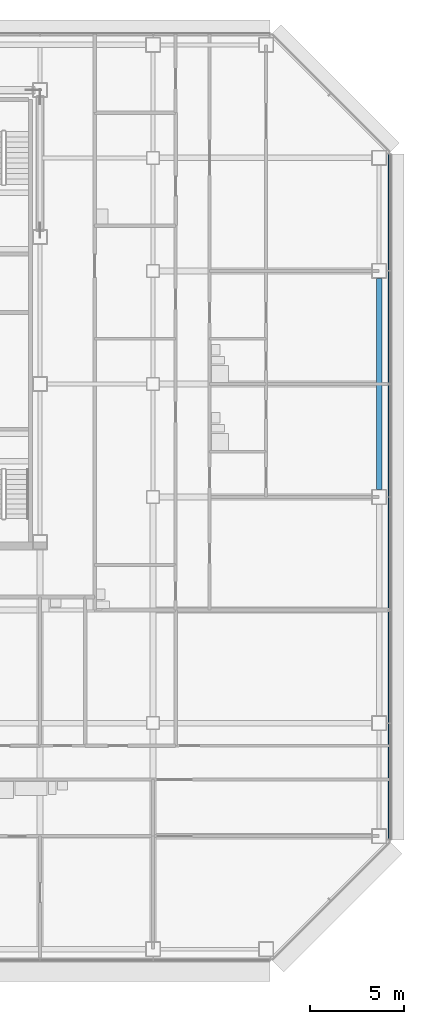
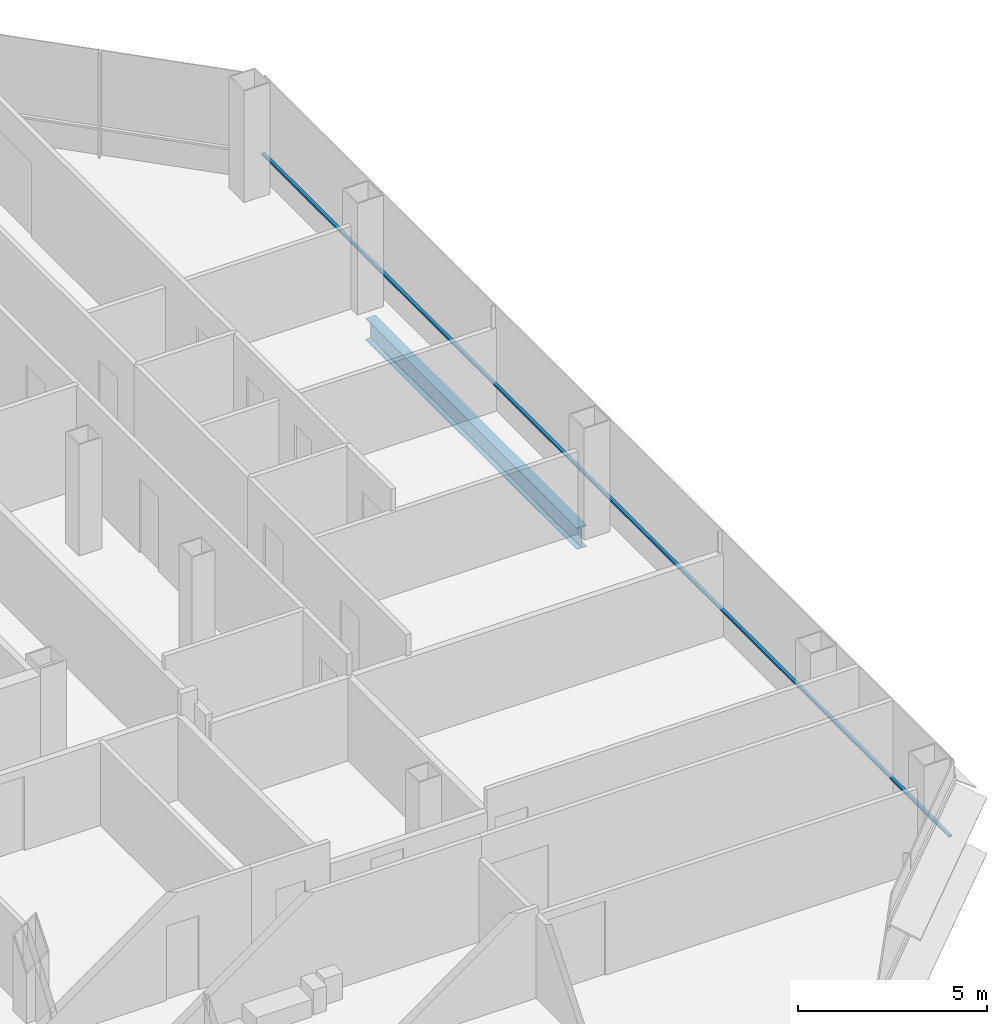
# One storey, part 16 of 26: 1 beam, 1 member, 1 element without a shape of its own.
"""IFC4 building model written with IfcOpenShell, lengths in metres."""

import ifcopenshell
import ifcopenshell.guid

model = None  # the IFC model being written
_history = None  # IfcOwnerHistory: only IFC2X3 demands one
_inside = {}  # id of a spatial element -> (the spatial element, [elements in it])
_under = {}  # id of a project, library or spatial element -> (it, [spatial elements below it])
_declared = {}  # id of a project -> (the project, [libraries it declares])
_typed = {}  # id of a type object -> (the type object, [elements of that type])
_made_of = {}  # id of a material, layer set ... -> (it, [elements and type objects made of it])


def new_model(schema):
    """Start an empty IFC model of exactly this schema.

    Asked for "IFC4X3", IfcOpenShell would pick the latest addendum, in which some entities
    have other attributes; the version numbers below select the first issue.
    IFC2X3 requires an IfcOwnerHistory on every rooted entity: one is made here for all.
    """
    global model, _history
    if schema == "IFC4X3":
        model = ifcopenshell.file(schema_version=(4, 3, 0, 0))
    else:
        model = ifcopenshell.file(schema=schema)
    _inside.clear()
    _under.clear()
    _declared.clear()
    _typed.clear()
    _made_of.clear()
    _history = None
    if model.schema == "IFC2X3":
        org = make("IfcOrganization", Name="unknown")
        user = make(
            "IfcPersonAndOrganization",
            ThePerson=make("IfcPerson", FamilyName="unknown"),
            TheOrganization=org,
        )
        app = make(
            "IfcApplication",
            ApplicationDeveloper=org,
            Version="unknown",
            ApplicationFullName="unknown",
            ApplicationIdentifier="unknown",
        )
        _history = make(
            "IfcOwnerHistory",
            OwningUser=user,
            OwningApplication=app,
            ChangeAction="ADDED",
            CreationDate=0,
        )
    return model


def make(cls, **values):
    """One entity of the class cls with the attributes given. An attribute that is None is left unset."""
    return model.create_entity(
        cls, **{name: value for name, value in values.items() if value is not None}
    )


def rooted(cls, **values):
    """An entity with a GlobalId (a new one), such as an element, a storey or a relation."""
    return make(cls, GlobalId=ifcopenshell.guid.new(), OwnerHistory=_history, **values)


def si_unit(unit_type, name, prefix=None):
    """IfcSIUnit, for example si_unit("LENGTHUNIT", "METRE", prefix="MILLI")."""
    return make("IfcSIUnit", UnitType=unit_type, Prefix=prefix, Name=name)


def assignment(units):
    """IfcUnitAssignment: the units of a project."""
    return None if units is None else make("IfcUnitAssignment", Units=units)


def point(xyz):
    """IfcCartesianPoint."""
    return None if xyz is None else make("IfcCartesianPoint", Coordinates=xyz)


def direction(xyz):
    """IfcDirection."""
    return None if xyz is None else make("IfcDirection", DirectionRatios=xyz)


def frame(location, z_axis=None, x_axis=None):
    """IfcAxis2Placement3D, a coordinate frame: its origin and axes. An axis left out is left unset."""
    return make(
        "IfcAxis2Placement3D",
        Location=point(location),
        Axis=direction(z_axis),
        RefDirection=direction(x_axis),
    )


def frame_2d(location, x_axis=None):
    """IfcAxis2Placement2D, a coordinate frame in the plane: its origin and x axis."""
    return make(
        "IfcAxis2Placement2D", Location=point(location), RefDirection=direction(x_axis)
    )


def origin():
    """The frame at (0, 0, 0) with its axes left unset."""
    return frame((0.0, 0.0, 0.0))


def origin_2d():
    """The frame at (0, 0) in the plane with its x axis left unset."""
    return frame_2d((0.0, 0.0))


def place(relative_to, where):
    """IfcLocalPlacement: puts the frame where relative to a parent placement (None: the world)."""
    return make(
        "IfcLocalPlacement", PlacementRelTo=relative_to, RelativePlacement=where
    )


def context(
    kind, dimensions, precision=None, world=None, true_north=None, identifier=None
):
    """IfcGeometricRepresentationContext, for example the 3D "Model" context."""
    return make(
        "IfcGeometricRepresentationContext",
        ContextIdentifier=identifier,
        ContextType=kind,
        CoordinateSpaceDimension=dimensions,
        Precision=precision,
        WorldCoordinateSystem=world,
        TrueNorth=true_north,
    )


def subcontext(parent, identifier, kind, view, scale=None):
    """IfcGeometricRepresentationSubContext, for example "Body" below "Model"."""
    return make(
        "IfcGeometricRepresentationSubContext",
        ContextIdentifier=identifier,
        ContextType=kind,
        ParentContext=parent,
        TargetScale=scale,
        TargetView=view,
    )


def project(units=None, contexts=None):
    """IfcProject with its units and contexts."""
    return rooted(
        "IfcProject",
        Name="project",
        RepresentationContexts=contexts,
        UnitsInContext=assignment(units),
    )


def spatial(cls, under=None, at=None, **own):
    """A site, building, storey or space (cls), placed at a placement, below another one or the project."""
    s = rooted(cls, ObjectPlacement=at, **own)
    if under is not None:
        _under.setdefault(under.id(), (under, []))[1].append(s)
    return s


def profile(cls, at=None, kind="AREA", **sizes):
    """A parametric profile (cls). Its sizes go by their IFC names, for example OverallWidth=200.0."""
    return make(cls, ProfileType=kind, Position=at, **sizes)


def rectangle(**sizes):
    """IfcRectangleProfileDef."""
    return profile("IfcRectangleProfileDef", **sizes)


def i_section(**sizes):
    """IfcIShapeProfileDef."""
    return profile("IfcIShapeProfileDef", **sizes)


def extrude(swept, where, along, depth):
    """IfcExtrudedAreaSolid: the profile swept, set in the frame where, extruded along a direction by depth."""
    return make(
        "IfcExtrudedAreaSolid",
        SweptArea=swept,
        Position=where,
        ExtrudedDirection=direction(along),
        Depth=depth,
    )


def shape(context_of_items, identifier, shape_type, items):
    """IfcShapeRepresentation: the items that make up one representation, for example the "Body"."""
    return make(
        "IfcShapeRepresentation",
        ContextOfItems=context_of_items,
        RepresentationIdentifier=identifier,
        RepresentationType=shape_type,
        Items=items,
    )


def material(Name=None, Category=None):
    """IfcMaterial."""
    return make("IfcMaterial", Name=Name, Category=Category)


def material_profile(
    of_material, cross_section, Name=None, Category=None, Priority=None
):
    """IfcMaterialProfile: a cross section and its material."""
    return make(
        "IfcMaterialProfile",
        Name=Name,
        Material=of_material,
        Profile=cross_section,
        Priority=Priority,
        Category=Category,
    )


def profile_set(profiles, Name=None, composite=None):
    """IfcMaterialProfileSet."""
    return make(
        "IfcMaterialProfileSet",
        Name=Name,
        MaterialProfiles=profiles,
        CompositeProfile=composite,
    )


def made_of(thing, what):
    """Note that an element or type object is made of a material, layer set ...; save() writes the relation."""
    if what is not None:
        _made_of.setdefault(what.id(), (what, []))[1].append(thing)
    return thing


def type_object(cls, material=None, **own):
    """A type object (cls), such as IfcWallType, which elements share."""
    return made_of(rooted(cls, **own), material)


def element(
    cls,
    number,
    at=None,
    inside=None,
    cuts=None,
    type_object=None,
    material=None,
    context=None,
    identifier="Body",
    shape_type=None,
    held_by="IfcProductDefinitionShape",
    body=None,
    shapes=None,
    **own,
):
    """One element of the class cls, such as IfcWall. Its Tag is "e" and its number.

    at: its placement. inside: the storey or other place that contains it. cuts: it is an
    opening in that element (IfcRelVoidsElement). A single representation is given by context,
    identifier, shape_type and body (its items); several are given by shapes. held_by: the class
    of the entity that holds the representations. save() writes the other relations.
    """
    e = rooted(cls, Tag="e%d" % number, ObjectPlacement=at, **own)
    if body is not None:
        shapes = [shape(context, identifier, shape_type, body)]
    if shapes is not None:
        e.Representation = make(held_by, Representations=shapes)
    if inside is not None:
        _inside.setdefault(inside.id(), (inside, []))[1].append(e)
    if cuts is not None:
        rooted(
            "IfcRelVoidsElement", RelatingBuildingElement=cuts, RelatedOpeningElement=e
        )
    if type_object is not None:
        _typed.setdefault(type_object.id(), (type_object, []))[1].append(e)
    return made_of(e, material)


def aggregate(whole, parts):
    """IfcRelAggregates: a whole, such as a stair, and the parts it consists of."""
    return rooted("IfcRelAggregates", RelatingObject=whole, RelatedObjects=parts)


def save(model, path):
    """Write the relations noted so far, then the file.

    IfcRelAggregates (storeys below a building ...), IfcRelContainedInSpatialStructure (elements
    in a storey), IfcRelDefinesByType, IfcRelAssociatesMaterial and IfcRelDeclares: one each for
    every whole, place, type object, material and project.
    """
    for whole, parts in _under.values():
        aggregate(whole, parts)
    for where, things in _inside.values():
        rooted(
            "IfcRelContainedInSpatialStructure",
            RelatedElements=things,
            RelatingStructure=where,
        )
    for kind, things in _typed.values():
        rooted("IfcRelDefinesByType", RelatedObjects=things, RelatingType=kind)
    for what, things in _made_of.values():
        rooted("IfcRelAssociatesMaterial", RelatedObjects=things, RelatingMaterial=what)
    for by, libraries in _declared.values():
        rooted("IfcRelDeclares", RelatingContext=by, RelatedDefinitions=libraries)
    model.write(path)


model = new_model("IFC4")

# Units and contexts
model_context = context("Model", 3, precision=1e-05, world=origin(), true_north=direction((0.0, 1.0)))
body_context = subcontext(model_context, "Body", "Model", "MODEL_VIEW")
ifc_project = project(units=[si_unit("LENGTHUNIT", "METRE"), si_unit("AREAUNIT", "SQUARE_METRE"), si_unit("VOLUMEUNIT", "CUBIC_METRE"), si_unit("PLANEANGLEUNIT", "RADIAN"), si_unit("MASSUNIT", "GRAM", prefix="KILO")], contexts=[model_context])

# Site, building, storey
site_placement = place(None, origin())
site = spatial("IfcSite", under=ifc_project, at=site_placement, CompositionType="ELEMENT")
building_placement = place(site_placement, origin())
building = spatial("IfcBuilding", under=site, at=building_placement, Name="Sorahane Residences", CompositionType="ELEMENT")
storey_placement = place(building_placement, frame((0.0, 0.0, 110.60009765625)))
storey = spatial("IfcBuildingStorey", under=building, at=storey_placement, Name="L24", CompositionType="ELEMENT", Elevation=110.60009765625)

# Curtain wall, member
ifc_material_1 = material(Name="Dark low-e glass and black anodised aluminium", Category="aluminium")
curtain_wall_type = type_object("IfcCurtainWallType", Name="Curtain wall CW-1 Typical unitised wall", PredefinedType="NOTDEFINED", material=ifc_material_1)
curtain_wall_placement = place(storey_placement, origin())
curtain_wall = element("IfcCurtainWall", 1, at=curtain_wall_placement, inside=storey, type_object=curtain_wall_type, Name="CW-1 curtain wall L24 E1", PredefinedType="NOTDEFINED")
ifc_material_2 = material(Name="Black anodised aluminium", Category="aluminium")
ifc_material_profile_1 = material_profile(ifc_material_2, rectangle(XDim=0.10009765625, YDim=0.06005859375, at=origin_2d()), Name="Curtain wall transom CW-1 black anodised aluminium 60x100")
ifc_profile_set_1 = profile_set([ifc_material_profile_1], Name="Black anodised aluminium")
member_type = type_object("IfcMemberType", Name="Curtain wall transom CW-1 black anodised aluminium 60x100", PredefinedType="USERDEFINED", material=ifc_profile_set_1)
member_placement = place(storey_placement, frame((60.530029296875, 5.801513671875, 0.89990234375), z_axis=(0.0, 1.0, 0.0), x_axis=(-1.0, 0.0, 0.0)))
member = element("IfcMember", 2, at=member_placement, type_object=member_type, Name="CW-1 transom L24 E1", ObjectType="TRANSOM", PredefinedType="USERDEFINED", context=body_context, shape_type="SweptSolid", body=[
    extrude(rectangle(XDim=0.10009765625, YDim=0.06005859375, at=origin_2d()), origin(), (0.0, 0.0, 1.0), 36.39697265625),
])
aggregate(curtain_wall, [member])

# Beam
ifc_material_3 = material(Name="Steel Q355B", Category="steel")
ifc_material_profile_2 = material_profile(ifc_material_3, i_section(OverallWidth=0.300048828125, OverallDepth=0.699951171875, WebThickness=0.012939453125, FlangeThickness=0.02392578125, FilletRadius=0.028076171875, at=origin_2d()), Name="HN 700x300x13x24")
ifc_profile_set_2 = profile_set([ifc_material_profile_2], Name="Steel Q355B")
beam_type = type_object("IfcBeamType", Name="Steel floor beam HN 700x300x13x24 Q355B", PredefinedType="BEAM", material=ifc_profile_set_2)
beam_placement = place(storey_placement, frame((60.0, 24.39990234375, -0.530029296875), z_axis=(0.0, 1.0, 0.0), x_axis=(-1.0, 0.0, 0.0)))
element("IfcBeam", 3, at=beam_placement, inside=storey, type_object=beam_type, Name="Beam L24 066", PredefinedType="BEAM", context=body_context, shape_type="SweptSolid", body=[
    extrude(i_section(OverallWidth=0.300048828125, OverallDepth=0.699951171875, WebThickness=0.012939453125, FlangeThickness=0.02392578125, FilletRadius=0.028076171875, at=origin_2d()), origin(), (0.0, 0.0, 1.0), 11.2001953125),
])

save(model, "model.ifc")
